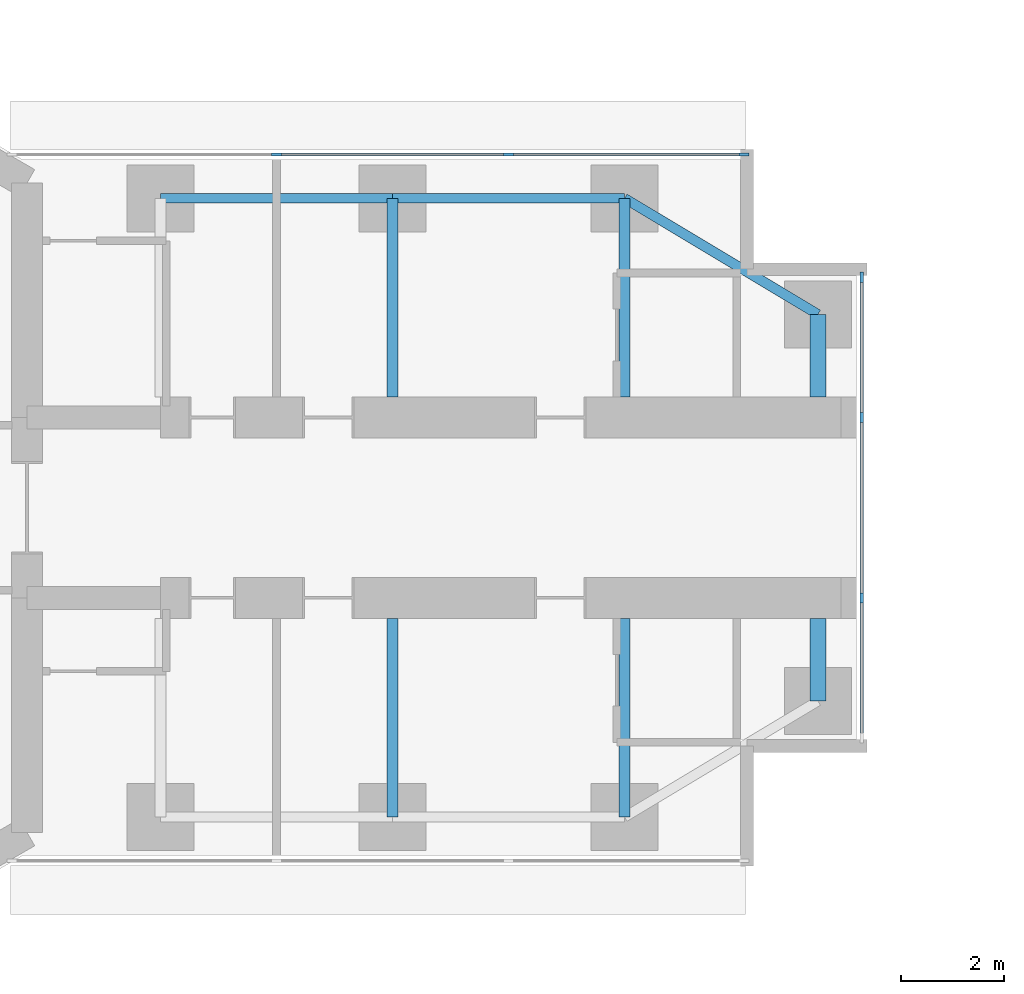
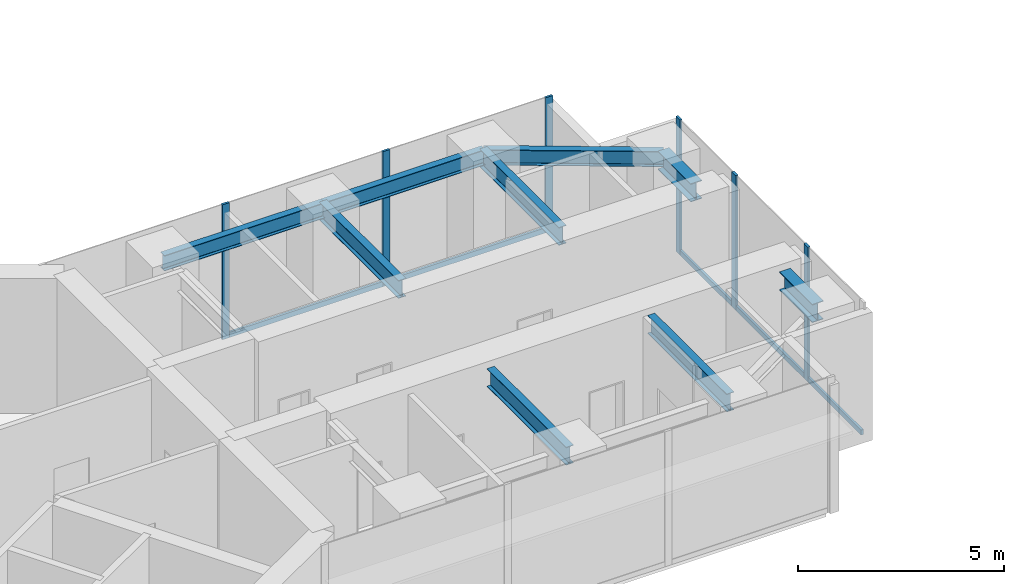
# One storey, part 7 of 22: 11 members, 9 beams, 2 elements without a shape of their own.
"""IFC4 building model written with IfcOpenShell, lengths in metres."""

from ifc_helpers import new_model, si_unit, direction, frame, origin, origin_2d, place, context, subcontext, project, spatial, rectangle, i_section, extrude, material, material_profile, profile_set, type_object, element, aggregate, save


model = new_model("IFC4")

# Units and contexts
model_context = context("Model", 3, precision=1e-05, world=origin(), true_north=direction((0.0, 1.0)))
body_context = subcontext(model_context, "Body", "Model", "MODEL_VIEW")
ifc_project = project(units=[si_unit("LENGTHUNIT", "METRE"), si_unit("AREAUNIT", "SQUARE_METRE"), si_unit("VOLUMEUNIT", "CUBIC_METRE"), si_unit("PLANEANGLEUNIT", "RADIAN"), si_unit("MASSUNIT", "GRAM", prefix="KILO")], contexts=[model_context])

# Site, building, storey
site_placement = place(None, origin())
site = spatial("IfcSite", under=ifc_project, at=site_placement, CompositionType="ELEMENT")
building_placement = place(site_placement, origin())
building = spatial("IfcBuilding", under=site, at=building_placement, Name="Upepo Twin Towers", CompositionType="ELEMENT")
storey_placement = place(building_placement, frame((0.0, 0.0, 125.5)))
storey = spatial("IfcBuildingStorey", under=building, at=storey_placement, Name="L30", CompositionType="ELEMENT", Elevation=125.5)

# Beams
ifc_material_1 = material(Name="Steel S355", Category="steel")
ifc_material_profile_1 = material_profile(ifc_material_1, i_section(OverallWidth=0.1904296875, OverallDepth=0.45703125, WebThickness=0.009033203125, FlangeThickness=0.014404296875, FilletRadius=0.01025390625, at=origin_2d()), Name="UB 457x191x74")
ifc_profile_set_1 = profile_set([ifc_material_profile_1], Name="Steel S355")
beam_type_1 = type_object("IfcBeamType", Name="Beam UB 457x191x74", PredefinedType="BEAM", material=ifc_profile_set_1)
for number, where, z_axis, x_axis, name in (
    (1, (13.5, 6.0, 3.571533203125), (1.0, 0.0, 0.0), (0.0, 1.0, 0.0), "T1 edge beam AL 13.5-18.0"),
    (2, (18.0, 6.0, 3.571533203125), (1.0, 0.0, 0.0), (0.0, 1.0, 0.0), "T1 edge beam AL 18.0-22.5"),
):
    element("IfcBeam", number, at=place(storey_placement, frame(where, z_axis=z_axis, x_axis=x_axis)), inside=storey, type_object=beam_type_1, Name=name, PredefinedType="BEAM", context=body_context, shape_type="SweptSolid", body=[
        extrude(i_section(OverallWidth=0.1904296875, OverallDepth=0.45703125, WebThickness=0.009033203125, FlangeThickness=0.014404296875, FilletRadius=0.01025390625, at=origin_2d()), origin(), (0.0, 0.0, 1.0), 4.5),
    ])
beam_placement = place(storey_placement, frame((22.5, 6.0, 3.571533203125), z_axis=(0.857492925713, -0.514495755428, 0.0), x_axis=(0.514495755428, 0.857492925713, 0.0)))
element("IfcBeam", 3, at=beam_placement, inside=storey, type_object=beam_type_1, Name="T1 nose edge beam AL", PredefinedType="BEAM", context=body_context, shape_type="SweptSolid", body=[
    extrude(i_section(OverallWidth=0.1904296875, OverallDepth=0.45703125, WebThickness=0.009033203125, FlangeThickness=0.014404296875, FilletRadius=0.01025390625, at=origin_2d()), origin(), (0.0, 0.0, 1.0), 4.373291015625),
])
ifc_material_2 = material(Name="Steel S355", Category="steel")
ifc_material_profile_2 = material_profile(ifc_material_2, i_section(OverallWidth=0.209228515625, OverallDepth=0.533203125, WebThickness=0.010009765625, FlangeThickness=0.015625, FilletRadius=0.0126953125, at=origin_2d()), Name="UB 533x210x92")
ifc_profile_set_2 = profile_set([ifc_material_profile_2], Name="Steel S355")
beam_type_2 = type_object("IfcBeamType", Name="Beam UB 533x210x92", PredefinedType="BEAM", material=ifc_profile_set_2)
for number, where, z_axis, x_axis, name in (
    (4, (18.0, 6.0, 3.533447265625), (0.0, -1.0, 0.0), (1.0, 0.0, 0.0), "T1 girder AL at 18.0"),
    (5, (22.5, 6.0, 3.533447265625), (0.0, -1.0, 0.0), (1.0, 0.0, 0.0), "T1 girder AL at 22.5"),
    (6, (18.0, -6.0, 3.533447265625), (0.0, 1.0, 0.0), (-1.0, 0.0, 0.0), "T1 girder AR at 18.0"),
    (7, (22.5, -6.0, 3.533447265625), (0.0, 1.0, 0.0), (-1.0, 0.0, 0.0), "T1 girder AR at 22.5"),
):
    element("IfcBeam", number, at=place(storey_placement, frame(where, z_axis=z_axis, x_axis=x_axis)), inside=storey, type_object=beam_type_2, Name=name, PredefinedType="BEAM", context=body_context, shape_type="SweptSolid", body=[
        extrude(i_section(OverallWidth=0.209228515625, OverallDepth=0.533203125, WebThickness=0.010009765625, FlangeThickness=0.015625, FilletRadius=0.0126953125, at=origin_2d()), origin(), (0.0, 0.0, 1.0), 3.85009765625),
    ])
ifc_material_3 = material(Name="Steel S355", Category="steel")
ifc_material_profile_3 = material_profile(ifc_material_3, i_section(OverallWidth=0.31201171875, OverallDepth=0.54345703125, WebThickness=0.0126953125, FlangeThickness=0.020263671875, FilletRadius=0.0126953125, at=origin_2d()), Name="UB 533x312x150")
ifc_profile_set_3 = profile_set([ifc_material_profile_3], Name="Steel S355")
beam_type_3 = type_object("IfcBeamType", Name="Beam UB 533x312x150", PredefinedType="BEAM", material=ifc_profile_set_3)
for number, where, z_axis, x_axis, name in (
    (8, (26.25, 3.75, 3.5283203125), (0.0, -1.0, 0.0), (1.0, 0.0, 0.0), "T1 nose beam AL"),
    (9, (26.25, -3.75, 3.5283203125), (0.0, 1.0, 0.0), (-1.0, 0.0, 0.0), "T1 nose beam AR"),
):
    element("IfcBeam", number, at=place(storey_placement, frame(where, z_axis=z_axis, x_axis=x_axis)), inside=storey, type_object=beam_type_3, Name=name, PredefinedType="BEAM", context=body_context, shape_type="SweptSolid", body=[
        extrude(i_section(OverallWidth=0.31201171875, OverallDepth=0.54345703125, WebThickness=0.0126953125, FlangeThickness=0.020263671875, FilletRadius=0.0126953125, at=origin_2d()), origin(), (0.0, 0.0, 1.0), 1.60009765625),
    ])

# Curtain wall, members
ifc_material_4 = material(Name="Aluminium and fritted glass", Category="aluminium")
curtain_wall_type = type_object("IfcCurtainWallType", Name="Tower curtain wall TW2, fritted glass", PredefinedType="NOTDEFINED", material=ifc_material_4)
curtain_wall_1_placement = place(storey_placement, origin())
curtain_wall_1 = element("IfcCurtainWall", 10, at=curtain_wall_1_placement, inside=storey, type_object=curtain_wall_type, Name="T1 L30 wing A flank L curtain wall", PredefinedType="NOTDEFINED")
ifc_material_5 = material(Name="Aluminium mullion", Category="aluminium")
ifc_material_profile_4 = material_profile(ifc_material_5, rectangle(XDim=0.06494140625, YDim=0.199951171875, at=origin_2d()), Name="MULLION 65x200")
ifc_profile_set_4 = profile_set([ifc_material_profile_4], Name="Aluminium mullion")
member_type_1 = type_object("IfcMemberType", Name="Mullion 65x200 TW2", PredefinedType="MULLION", material=ifc_profile_set_4)
member_1_placement = place(storey_placement, frame((15.75, 6.85009765625, 0.0), z_axis=(0.0, 0.0, 1.0), x_axis=(0.0, 1.0, 0.0)))
member_1 = element("IfcMember", 11, at=member_1_placement, type_object=member_type_1, Name="T1 L30 wing A flank L curtain wall mullion 2", PredefinedType="MULLION", context=body_context, shape_type="SweptSolid", body=[
    extrude(rectangle(XDim=0.06494140625, YDim=0.199951171875, at=origin_2d()), origin(), (0.0, 0.0, 1.0), 4.0),
])
member_2_placement = place(storey_placement, frame((20.25, 6.85009765625, 0.0), z_axis=(0.0, 0.0, 1.0), x_axis=(0.0, 1.0, 0.0)))
member_2 = element("IfcMember", 12, at=member_2_placement, type_object=member_type_1, Name="T1 L30 wing A flank L curtain wall mullion 3", PredefinedType="MULLION", context=body_context, shape_type="SweptSolid", body=[
    extrude(rectangle(XDim=0.06494140625, YDim=0.199951171875, at=origin_2d()), origin(), (0.0, 0.0, 1.0), 4.0),
])
member_3_placement = place(storey_placement, frame((24.8173828125, 6.85009765625, 0.0), z_axis=(0.0, 0.0, 1.0), x_axis=(0.0, 1.0, 0.0)))
member_3 = element("IfcMember", 13, at=member_3_placement, type_object=member_type_1, Name="T1 L30 wing A flank L curtain wall mullion 4", PredefinedType="MULLION", context=body_context, shape_type="SweptSolid", body=[
    extrude(rectangle(XDim=0.06494140625, YDim=0.199951171875, at=origin_2d()), origin(), (0.0, 0.0, 1.0), 4.0),
])

curtain_wall_2_placement = place(storey_placement, origin())
curtain_wall_2 = element("IfcCurtainWall", 14, at=curtain_wall_2_placement, inside=storey, type_object=curtain_wall_type, Name="T1 L30 wing A nose curtain wall", PredefinedType="NOTDEFINED")
member_4_placement = place(storey_placement, frame((27.10009765625, -1.75, 0.0), z_axis=(0.0, 0.0, 1.0), x_axis=(-1.0, 0.0, 0.0)))
member_4 = element("IfcMember", 15, at=member_4_placement, type_object=member_type_1, Name="T1 L30 wing A nose curtain wall mullion 2", PredefinedType="MULLION", context=body_context, shape_type="SweptSolid", body=[
    extrude(rectangle(XDim=0.06494140625, YDim=0.199951171875, at=origin_2d()), origin(), (0.0, 0.0, 1.0), 4.0),
])
member_5_placement = place(storey_placement, frame((27.10009765625, 1.75, 0.0), z_axis=(0.0, 0.0, 1.0), x_axis=(-1.0, 0.0, 0.0)))
member_5 = element("IfcMember", 16, at=member_5_placement, type_object=member_type_1, Name="T1 L30 wing A nose curtain wall mullion 3", PredefinedType="MULLION", context=body_context, shape_type="SweptSolid", body=[
    extrude(rectangle(XDim=0.06494140625, YDim=0.199951171875, at=origin_2d()), origin(), (0.0, 0.0, 1.0), 4.0),
])
member_6_placement = place(storey_placement, frame((27.10009765625, 4.467529296875, 0.0), z_axis=(0.0, 0.0, 1.0), x_axis=(-1.0, 0.0, 0.0)))
member_6 = element("IfcMember", 17, at=member_6_placement, type_object=member_type_1, Name="T1 L30 wing A nose curtain wall mullion 4", PredefinedType="MULLION", context=body_context, shape_type="SweptSolid", body=[
    extrude(rectangle(XDim=0.06494140625, YDim=0.199951171875, at=origin_2d()), origin(), (0.0, 0.0, 1.0), 4.0),
])

# Member
ifc_material_6 = material(Name="Aluminium transom", Category="aluminium")
ifc_material_profile_5 = material_profile(ifc_material_6, rectangle(XDim=0.06494140625, YDim=0.14990234375, at=origin_2d()), Name="TRANSOM 65x150")
ifc_profile_set_5 = profile_set([ifc_material_profile_5], Name="Aluminium transom")
member_type_2 = type_object("IfcMemberType", Name="Transom 65x150 TW2", PredefinedType="USERDEFINED", material=ifc_profile_set_5)
member_7_placement = place(storey_placement, frame((15.782470703125, 6.85009765625, 0.074951171875), z_axis=(1.0, 0.0, 0.0), x_axis=(0.0, 1.0, 0.0)))
member_7 = element("IfcMember", 18, at=member_7_placement, type_object=member_type_2, Name="T1 L30 wing A flank L curtain wall transom 2", ObjectType="TRANSOM", PredefinedType="USERDEFINED", context=body_context, shape_type="SweptSolid", body=[
    extrude(rectangle(XDim=0.06494140625, YDim=0.14990234375, at=origin_2d()), origin(), (0.0, 0.0, 1.0), 4.43505859375),
])

member_8_placement = place(storey_placement, frame((20.282470703125, 6.85009765625, 0.074951171875), z_axis=(1.0, 0.0, 0.0), x_axis=(0.0, 1.0, 0.0)))
member_8 = element("IfcMember", 19, at=member_8_placement, type_object=member_type_2, Name="T1 L30 wing A flank L curtain wall transom 3", ObjectType="TRANSOM", PredefinedType="USERDEFINED", context=body_context, shape_type="SweptSolid", body=[
    extrude(rectangle(XDim=0.06494140625, YDim=0.14990234375, at=origin_2d()), origin(), (0.0, 0.0, 1.0), 4.50244140625),
])

aggregate(curtain_wall_1, [member_1, member_2, member_3, member_7, member_8])

member_9_placement = place(storey_placement, frame((27.10009765625, -4.43505859375, 0.074951171875), z_axis=(0.0, 1.0, 0.0), x_axis=(-1.0, 0.0, 0.0)))
member_9 = element("IfcMember", 20, at=member_9_placement, type_object=member_type_2, Name="T1 L30 wing A nose curtain wall transom 1", ObjectType="TRANSOM", PredefinedType="USERDEFINED", context=body_context, shape_type="SweptSolid", body=[
    extrude(rectangle(XDim=0.06494140625, YDim=0.14990234375, at=origin_2d()), origin(), (0.0, 0.0, 1.0), 2.652587890625),
])

member_10_placement = place(storey_placement, frame((27.10009765625, -1.717529296875, 0.074951171875), z_axis=(0.0, 1.0, 0.0), x_axis=(-1.0, 0.0, 0.0)))
member_10 = element("IfcMember", 21, at=member_10_placement, type_object=member_type_2, Name="T1 L30 wing A nose curtain wall transom 2", ObjectType="TRANSOM", PredefinedType="USERDEFINED", context=body_context, shape_type="SweptSolid", body=[
    extrude(rectangle(XDim=0.06494140625, YDim=0.14990234375, at=origin_2d()), origin(), (0.0, 0.0, 1.0), 3.43505859375),
])

member_11_placement = place(storey_placement, frame((27.10009765625, 1.782470703125, 0.074951171875), z_axis=(0.0, 1.0, 0.0), x_axis=(-1.0, 0.0, 0.0)))
member_11 = element("IfcMember", 22, at=member_11_placement, type_object=member_type_2, Name="T1 L30 wing A nose curtain wall transom 3", ObjectType="TRANSOM", PredefinedType="USERDEFINED", context=body_context, shape_type="SweptSolid", body=[
    extrude(rectangle(XDim=0.06494140625, YDim=0.14990234375, at=origin_2d()), origin(), (0.0, 0.0, 1.0), 2.652587890625),
])

aggregate(curtain_wall_2, [member_4, member_5, member_6, member_9, member_10, member_11])

save(model, "model.ifc")
